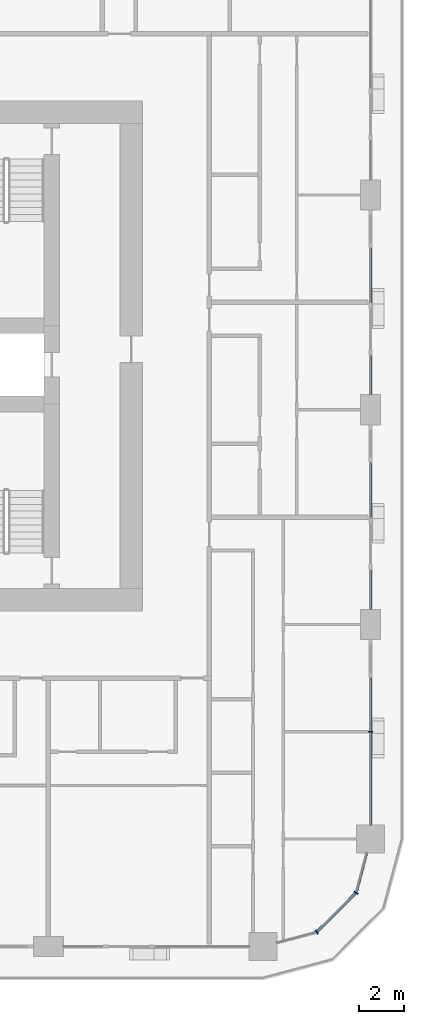
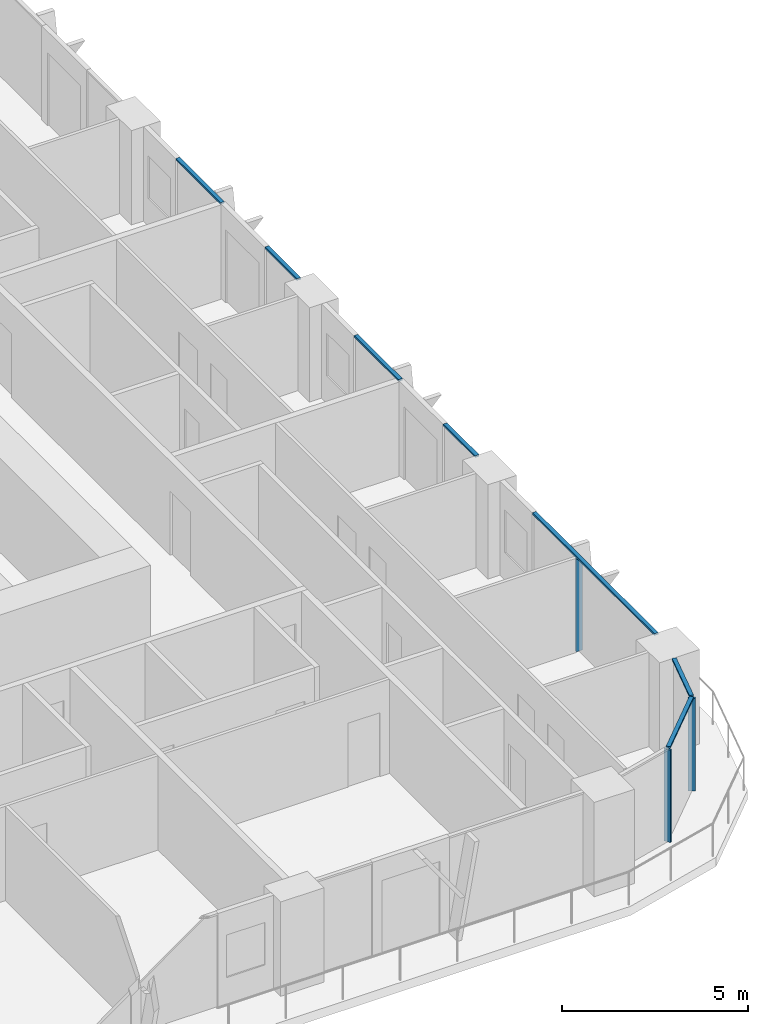
# One storey, part 4 of 21: 10 members, 4 elements without a shape of their own.
"""IFC4 building model written with IfcOpenShell, lengths in metres."""

from ifc_helpers import new_model, si_unit, direction, frame, origin, origin_2d, place, context, subcontext, project, spatial, rectangle, extrude, material, layer, layer_set, material_profile, profile_set, type_object, element, aggregate, save


model = new_model("IFC4")

# Units and contexts
model_context = context("Model", 3, precision=1e-05, world=origin(), true_north=direction((0.0, 1.0)))
body_context = subcontext(model_context, "Body", "Model", "MODEL_VIEW")
ifc_project = project(units=[si_unit("LENGTHUNIT", "METRE"), si_unit("AREAUNIT", "SQUARE_METRE"), si_unit("VOLUMEUNIT", "CUBIC_METRE"), si_unit("PLANEANGLEUNIT", "RADIAN"), si_unit("MASSUNIT", "GRAM", prefix="KILO")], contexts=[model_context])

# Site, building, storey
site_placement = place(None, origin())
site = spatial("IfcSite", under=ifc_project, at=site_placement, CompositionType="ELEMENT")
building_placement = place(site_placement, origin())
building = spatial("IfcBuilding", under=site, at=building_placement, Name="Madar Terraces", CompositionType="ELEMENT")
storey_placement = place(building_placement, frame((0.0, 0.0, 50.39990234375)))
storey = spatial("IfcBuildingStorey", under=building, at=storey_placement, Name="L12", CompositionType="ELEMENT", Elevation=50.39990234375)

# Curtain wall, member
ifc_material_1 = material(Name="Glass, ceramic frit dark grey, with black aluminium frame", Category="aluminium")
ifc_layer = layer(ifc_material_1, 0.199951171875)
ifc_layer_set = layer_set([ifc_layer], Name="Facade curtain wall, fritted glass")
curtain_wall_type = type_object("IfcCurtainWallType", Name="Facade curtain wall, fritted glass", PredefinedType="NOTDEFINED", material=ifc_layer_set)
curtain_wall_1_placement = place(storey_placement, origin())
curtain_wall_1 = element("IfcCurtainWall", 1, at=curtain_wall_1_placement, inside=storey, type_object=curtain_wall_type, Name="Outer skin curtain wall east bay 1", PredefinedType="NOTDEFINED")
ifc_material_2 = material(Name="Aluminium, black anodised", Category="aluminium")
ifc_material_profile_1 = material_profile(ifc_material_2, rectangle(XDim=0.199951171875, YDim=0.06005859375, at=origin_2d()), Name="Facade mullion 60x200")
ifc_profile_set_1 = profile_set([ifc_material_profile_1], Name="Aluminium, black anodised")
member_type_1 = type_object("IfcMemberType", Name="Facade mullion 60x200", PredefinedType="MULLION", material=ifc_profile_set_1)
member_1_placement = place(storey_placement, frame((57.60009765625, 9.60009765625, 0.0), z_axis=(0.0, 0.0, 1.0), x_axis=(-1.0, 0.0, 0.0)))
member_1 = element("IfcMember", 2, at=member_1_placement, type_object=member_type_1, Name="Mullion 1", PredefinedType="MULLION", context=body_context, shape_type="SweptSolid", body=[
    extrude(rectangle(XDim=0.199951171875, YDim=0.06005859375, at=origin_2d()), origin(), (0.0, 0.0, 1.0), 3.0400390625),
])

# Curtain wall, members
curtain_wall_2_placement = place(storey_placement, origin())
curtain_wall_2 = element("IfcCurtainWall", 3, at=curtain_wall_2_placement, inside=storey, type_object=curtain_wall_type, Name="Outer skin curtain wall south-east corner", PredefinedType="NOTDEFINED")
member_2_placement = place(storey_placement, frame((55.199951171875, 0.64306640625, 0.0), z_axis=(0.0, 0.0, 1.0), x_axis=(-0.499999989586, 0.866025409797, 0.0)))
member_2 = element("IfcMember", 4, at=member_2_placement, type_object=member_type_1, Name="Mullion 1", PredefinedType="MULLION", context=body_context, shape_type="SweptSolid", body=[
    extrude(rectangle(XDim=0.199951171875, YDim=0.06005859375, at=origin_2d()), origin(), (0.0, 0.0, 1.0), 3.0400390625),
])
member_3_placement = place(storey_placement, frame((56.95703125, 2.39990234375, 0.0), z_axis=(0.0, 0.0, 1.0), x_axis=(-0.866025409797, 0.499999989586, 0.0)))
member_3 = element("IfcMember", 5, at=member_3_placement, type_object=member_type_1, Name="Mullion 2", PredefinedType="MULLION", context=body_context, shape_type="SweptSolid", body=[
    extrude(rectangle(XDim=0.199951171875, YDim=0.06005859375, at=origin_2d()), origin(), (0.0, 0.0, 1.0), 3.0400390625),
])

# Member
ifc_material_3 = material(Name="Aluminium, black anodised", Category="aluminium")
ifc_material_profile_2 = material_profile(ifc_material_3, rectangle(XDim=0.1201171875, YDim=0.06005859375, at=origin_2d()), Name="Facade transom 60x120")
ifc_profile_set_2 = profile_set([ifc_material_profile_2], Name="Aluminium, black anodised")
member_type_2 = type_object("IfcMemberType", Name="Facade transom 60x120", PredefinedType="USERDEFINED", material=ifc_profile_set_2)
member_4_placement = place(storey_placement, frame((57.60009765625, 5.425048828125, 3.070068359375), z_axis=(0.0, 1.0, 0.0), x_axis=(-1.0, 0.0, 0.0)))
member_4 = element("IfcMember", 6, at=member_4_placement, type_object=member_type_2, Name="Transom 1", ObjectType="TRANSOM", PredefinedType="USERDEFINED", context=body_context, shape_type="SweptSolid", body=[
    extrude(rectangle(XDim=0.1201171875, YDim=0.06005859375, at=origin_2d()), origin(), (0.0, 0.0, 1.0), 6.574951171875),
])

aggregate(curtain_wall_1, [member_1, member_4])

# Curtain wall, members
curtain_wall_3_placement = place(storey_placement, origin())
curtain_wall_3 = element("IfcCurtainWall", 7, at=curtain_wall_3_placement, inside=storey, type_object=curtain_wall_type, Name="Outer skin curtain wall east bay 2", PredefinedType="NOTDEFINED")
member_5_placement = place(storey_placement, frame((57.60009765625, 15.074951171875, 3.070068359375), z_axis=(0.0, 1.0, 0.0), x_axis=(-1.0, 0.0, 0.0)))
member_5 = element("IfcMember", 8, at=member_5_placement, type_object=member_type_2, Name="Transom 1", ObjectType="TRANSOM", PredefinedType="USERDEFINED", context=body_context, shape_type="SweptSolid", body=[
    extrude(rectangle(XDim=0.1201171875, YDim=0.06005859375, at=origin_2d()), origin(), (0.0, 0.0, 1.0), 1.72509765625),
])
member_6_placement = place(storey_placement, frame((57.60009765625, 19.199951171875, 3.070068359375), z_axis=(0.0, 1.0, 0.0), x_axis=(-1.0, 0.0, 0.0)))
member_6 = element("IfcMember", 9, at=member_6_placement, type_object=member_type_2, Name="Transom 2", ObjectType="TRANSOM", PredefinedType="USERDEFINED", context=body_context, shape_type="SweptSolid", body=[
    extrude(rectangle(XDim=0.1201171875, YDim=0.06005859375, at=origin_2d()), origin(), (0.0, 0.0, 1.0), 2.400146484375),
])
aggregate(curtain_wall_3, [member_5, member_6])

curtain_wall_4_placement = place(storey_placement, origin())
curtain_wall_4 = element("IfcCurtainWall", 10, at=curtain_wall_4_placement, inside=storey, type_object=curtain_wall_type, Name="Outer skin curtain wall east bay 3", PredefinedType="NOTDEFINED")
member_7_placement = place(storey_placement, frame((57.60009765625, 24.675048828125, 3.070068359375), z_axis=(0.0, 1.0, 0.0), x_axis=(-1.0, 0.0, 0.0)))
member_7 = element("IfcMember", 11, at=member_7_placement, type_object=member_type_2, Name="Transom 1", ObjectType="TRANSOM", PredefinedType="USERDEFINED", context=body_context, shape_type="SweptSolid", body=[
    extrude(rectangle(XDim=0.1201171875, YDim=0.06005859375, at=origin_2d()), origin(), (0.0, 0.0, 1.0), 1.724853515625),
])
member_8_placement = place(storey_placement, frame((57.60009765625, 28.800048828125, 3.070068359375), z_axis=(0.0, 1.0, 0.0), x_axis=(-1.0, 0.0, 0.0)))
member_8 = element("IfcMember", 12, at=member_8_placement, type_object=member_type_2, Name="Transom 2", ObjectType="TRANSOM", PredefinedType="USERDEFINED", context=body_context, shape_type="SweptSolid", body=[
    extrude(rectangle(XDim=0.1201171875, YDim=0.06005859375, at=origin_2d()), origin(), (0.0, 0.0, 1.0), 2.39990234375),
])
aggregate(curtain_wall_4, [member_7, member_8])

# Member
member_9_placement = place(storey_placement, frame((55.22119140625, 0.664306640625, 3.070068359375), z_axis=(0.707106781187, 0.707106781187, 0.0), x_axis=(-0.707106781187, 0.707106781187, 0.0)))
member_9 = element("IfcMember", 13, at=member_9_placement, type_object=member_type_2, Name="Transom 2", ObjectType="TRANSOM", PredefinedType="USERDEFINED", context=body_context, shape_type="SweptSolid", body=[
    extrude(rectangle(XDim=0.1201171875, YDim=0.06005859375, at=origin_2d()), origin(), (0.0, 0.0, 1.0), 2.4248046875),
])

member_10_placement = place(storey_placement, frame((56.964599609375, 2.428955078125, 3.070068359375), z_axis=(0.258898097903, 0.965904640688, 0.0), x_axis=(-0.965904640688, 0.258898097903, 0.0)))
member_10 = element("IfcMember", 14, at=member_10_placement, type_object=member_type_2, Name="Transom 3", ObjectType="TRANSOM", PredefinedType="USERDEFINED", context=body_context, shape_type="SweptSolid", body=[
    extrude(rectangle(XDim=0.1201171875, YDim=0.06005859375, at=origin_2d()), origin(), (0.0, 0.0, 1.0), 1.8076171875),
])

aggregate(curtain_wall_2, [member_2, member_3, member_9, member_10])

save(model, "model.ifc")
